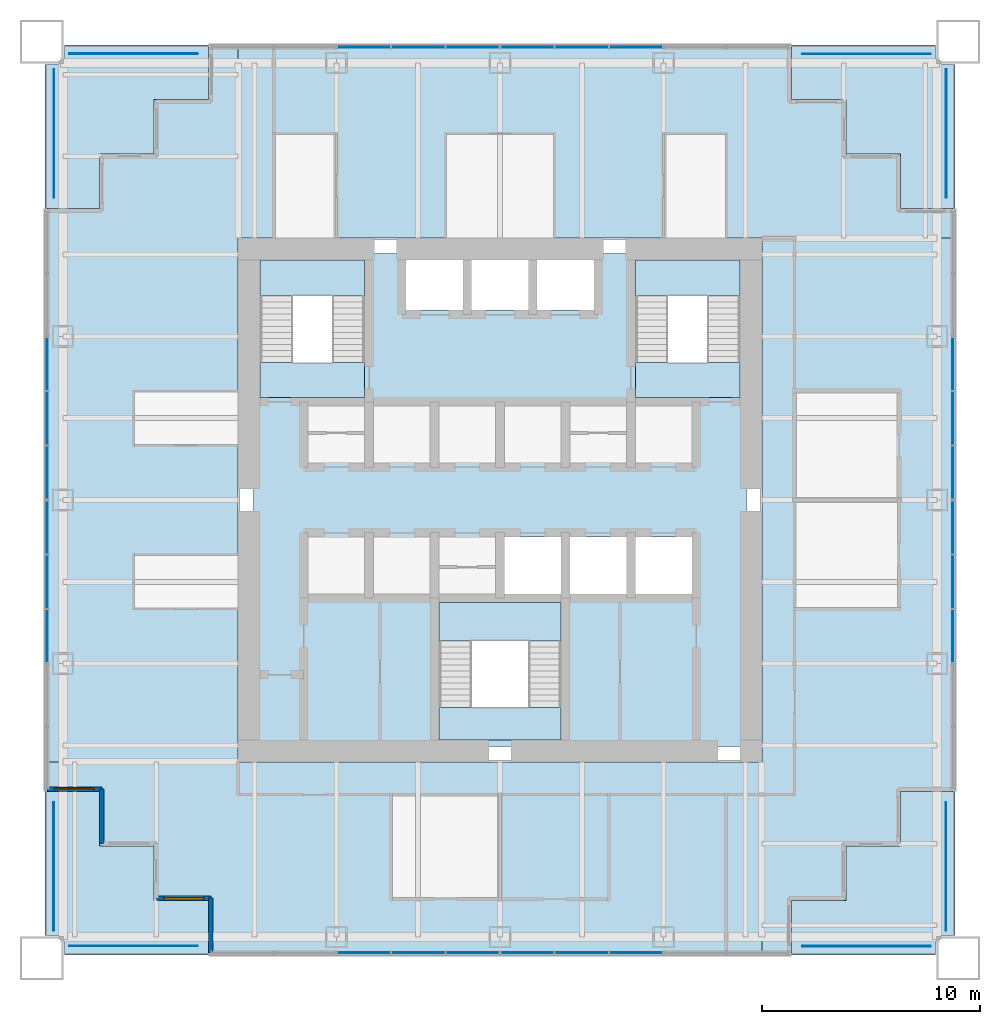
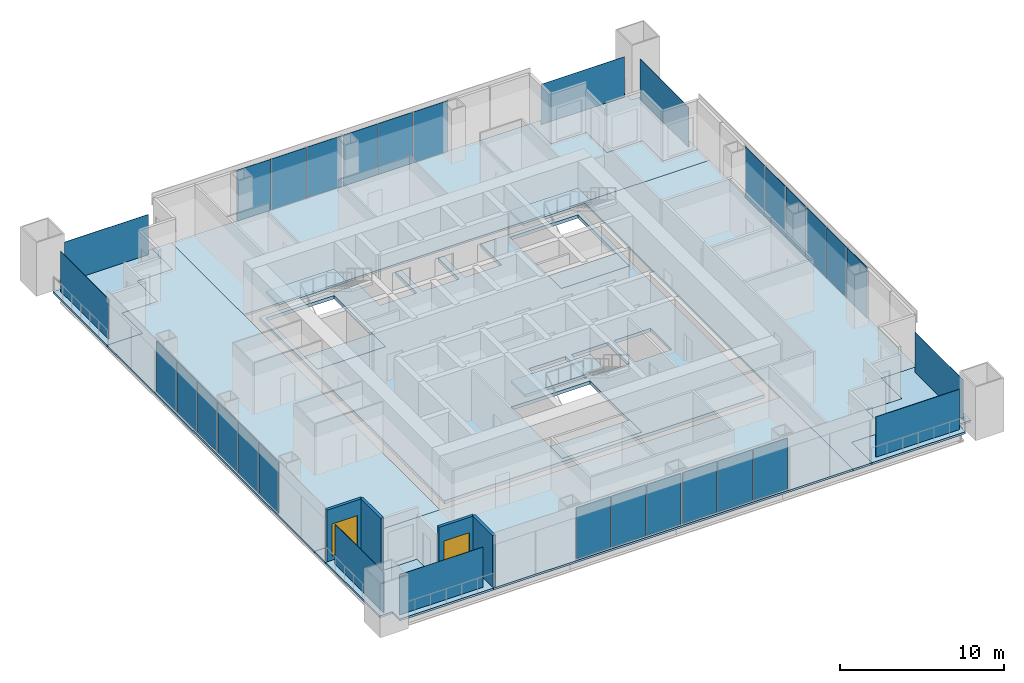
# One storey, part 8 of 14: 32 plates, 15 slabs, 4 walls, 2 windows, 2 openings, 11 elements without a shape of their own.
"""IFC4 building model written with IfcOpenShell, lengths in metres."""

from ifc_helpers import new_model, si_unit, direction, frame, frame_2d, origin, origin_2d, place, context, subcontext, project, spatial, polyline, rectangle, outline, extrude, material, layer, layer_set, type_object, element, fill, aggregate, save


model = new_model("IFC4")

# Units and contexts
model_context = context("Model", 3, precision=1e-05, world=origin(), true_north=direction((0.0, 1.0)))
body_context = subcontext(model_context, "Body", "Model", "MODEL_VIEW")
ifc_project = project(units=[si_unit("LENGTHUNIT", "METRE"), si_unit("AREAUNIT", "SQUARE_METRE"), si_unit("VOLUMEUNIT", "CUBIC_METRE"), si_unit("PLANEANGLEUNIT", "RADIAN"), si_unit("MASSUNIT", "GRAM", prefix="KILO")], contexts=[model_context])

# Site, building, storey
site_placement = place(None, origin())
site = spatial("IfcSite", under=ifc_project, at=site_placement, CompositionType="ELEMENT")
building_placement = place(site_placement, origin())
building = spatial("IfcBuilding", under=site, at=building_placement, Name="Tarangal Relay Tower", CompositionType="ELEMENT")
storey_placement = place(building_placement, frame((0.0, 0.0, 287.89990234375)))
storey = spatial("IfcBuildingStorey", under=building, at=storey_placement, Name="L63", CompositionType="ELEMENT", Elevation=287.89990234375)

# Slabs
ifc_material_1 = material(Name="Concrete fc' 35 MPa", Category="concrete")
ifc_layer_1 = layer(ifc_material_1, 0.25)
ifc_layer_set_1 = layer_set([ifc_layer_1], Name="Core floor slab 250")
slab_type_1 = type_object("IfcSlabType", Name="Core floor slab 250", PredefinedType="FLOOR", material=ifc_layer_set_1)
slab_1_placement = place(storey_placement, frame((0.0, 0.0, -0.25)))
element("IfcSlab", 1, at=slab_1_placement, inside=storey, type_object=slab_type_1, Name="Core floor slab L63", PredefinedType="FLOOR", context=body_context, shape_type="SweptSolid", body=[
    extrude(outline(polyline([(11.300048828125, 11.300048828125), (11.300048828125, -11.300048828125), (-11.300048828125, -11.300048828125), (-11.300048828125, 11.300048828125), (-4.300048828125, 11.300048828125), (-4.300048828125, 8.699951171875), (-1.699951171875, 8.699951171875), (-1.699951171875, 11.300048828125), (-1.300048828125, 11.300048828125), (-1.300048828125, 8.699951171875), (1.300048828125, 8.699951171875), (1.300048828125, 11.300048828125), (1.699951171875, 11.300048828125), (1.699951171875, 8.699951171875), (4.300048828125, 8.699951171875), (4.300048828125, 11.300048828125), (11.300048828125, 11.300048828125)]), holes=[polyline([(2.800048828125, -4.699951171875), (-2.800048828125, -4.699951171875), (-2.800048828125, -11.0), (2.800048828125, -11.0), (2.800048828125, -4.699951171875)]), polyline([(2.800048828125, -1.699951171875), (0.199951171875, -1.699951171875), (0.199951171875, -4.300048828125), (2.800048828125, -4.300048828125), (2.800048828125, -1.699951171875)]), polyline([(5.800048828125, -1.699951171875), (3.199951171875, -1.699951171875), (3.199951171875, -4.300048828125), (5.800048828125, -4.300048828125), (5.800048828125, -1.699951171875)]), polyline([(8.800048828125, -1.699951171875), (6.199951171875, -1.699951171875), (6.199951171875, -4.300048828125), (8.800048828125, -4.300048828125), (8.800048828125, -1.699951171875)]), polyline([(-6.199951171875, 11.0), (-11.0, 11.0), (-11.0, 4.699951171875), (-6.199951171875, 4.699951171875), (-6.199951171875, 11.0)]), polyline([(11.0, 11.0), (6.199951171875, 11.0), (6.199951171875, 4.699951171875), (11.0, 4.699951171875), (11.0, 11.0)])]), origin(), (0.0, 0.0, 1.0), 0.25),
])
ifc_layer_2 = layer(ifc_material_1, 0.14990234375)
ifc_layer_set_2 = layer_set([ifc_layer_2], Name="Floor slab 150")
slab_type_2 = type_object("IfcSlabType", Name="Floor slab 150", PredefinedType="FLOOR", material=ifc_layer_set_2)
slab_2_placement = place(storey_placement, frame((0.0, 0.0, -0.14990234375)))
element("IfcSlab", 2, at=slab_2_placement, inside=storey, type_object=slab_type_2, Name="Floor slab FS3 L63 north bay", PredefinedType="FLOOR", context=body_context, shape_type="SweptSolid", body=[
    extrude(outline(polyline([(13.35009765625, 20.85009765625), (13.35009765625, 18.35009765625), (15.85009765625, 18.35009765625), (15.85009765625, 15.85009765625), (18.35009765625, 15.85009765625), (18.35009765625, 13.35009765625), (20.85009765625, 13.35009765625), (20.85009765625, 12.0), (-12.0, 12.0), (-12.0, 20.85009765625), (13.35009765625, 20.85009765625)])), origin(), (0.0, 0.0, 1.0), 0.14990234375),
])
slab_3_placement = place(storey_placement, frame((0.0, 0.0, -0.14990234375)))
element("IfcSlab", 3, at=slab_3_placement, inside=storey, type_object=slab_type_2, Name="Floor slab FS3 L63 east bay", PredefinedType="FLOOR", context=body_context, shape_type="SweptSolid", body=[
    extrude(outline(polyline([(20.85009765625, -13.35009765625), (18.35009765625, -13.35009765625), (18.35009765625, -15.85009765625), (15.85009765625, -15.85009765625), (15.85009765625, -18.35009765625), (13.35009765625, -18.35009765625), (13.35009765625, -20.85009765625), (12.0, -20.85009765625), (12.0, 12.0), (20.85009765625, 12.0), (20.85009765625, -13.35009765625)])), origin(), (0.0, 0.0, 1.0), 0.14990234375),
])
slab_4_placement = place(storey_placement, frame((0.0, 0.0, -0.14990234375)))
element("IfcSlab", 4, at=slab_4_placement, inside=storey, type_object=slab_type_2, Name="Floor slab FS3 L63 south bay", PredefinedType="FLOOR", context=body_context, shape_type="SweptSolid", body=[
    extrude(outline(polyline([(-13.35009765625, -20.85009765625), (-13.35009765625, -18.35009765625), (-15.85009765625, -18.35009765625), (-15.85009765625, -15.85009765625), (-18.35009765625, -15.85009765625), (-18.35009765625, -13.35009765625), (-20.85009765625, -13.35009765625), (-20.85009765625, -12.0), (12.0, -12.0), (12.0, -20.85009765625), (-13.35009765625, -20.85009765625)])), origin(), (0.0, 0.0, 1.0), 0.14990234375),
])
slab_5_placement = place(storey_placement, frame((0.0, 0.0, -0.14990234375)))
element("IfcSlab", 5, at=slab_5_placement, inside=storey, type_object=slab_type_2, Name="Floor slab FS3 L63 west bay", PredefinedType="FLOOR", context=body_context, shape_type="SweptSolid", body=[
    extrude(outline(polyline([(-12.0, 20.85009765625), (-12.0, -12.0), (-20.85009765625, -12.0), (-20.85009765625, 13.35009765625), (-18.35009765625, 13.35009765625), (-18.35009765625, 15.85009765625), (-15.85009765625, 15.85009765625), (-15.85009765625, 18.35009765625), (-13.35009765625, 18.35009765625), (-13.35009765625, 20.85009765625), (-12.0, 20.85009765625)])), origin(), (0.0, 0.0, 1.0), 0.14990234375),
])

# Curtain wall, plates
ifc_material_2 = material(Name="Unitised curtain wall, dark glass and black aluminium", Category="aluminium")
curtain_wall_type = type_object("IfcCurtainWallType", Name="Curtain wall CW-B", PredefinedType="USERDEFINED", material=ifc_material_2)
curtain_wall_1_placement = place(storey_placement, origin())
curtain_wall_1 = element("IfcCurtainWall", 6, at=curtain_wall_1_placement, inside=storey, type_object=curtain_wall_type, Name="Curtain wall CW-B N facade L63", ObjectType="UNITISED CURTAIN WALL", PredefinedType="USERDEFINED")
ifc_material_3 = material(Name="Dark tinted insulated glass unit", Category="glass")
ifc_layer_3 = layer(ifc_material_3, 0.030029296875)
ifc_layer_set_3 = layer_set([ifc_layer_3], Name="Glazed panel CW-B 30")
plate_type_1 = type_object("IfcPlateType", Name="Glazed panel CW-B 30", PredefinedType="CURTAIN_PANEL", material=ifc_layer_set_3)
plate_1_placement = place(storey_placement, frame((-6.235107421875, 20.75, 0.06005859375), z_axis=(0.0, 0.0, 1.0), x_axis=(1.0, 0.0, 0.0)))
plate_1 = element("IfcPlate", 7, at=plate_1_placement, type_object=plate_type_1, Name="CW-B panel 1.1", PredefinedType="CURTAIN_PANEL", context=body_context, shape_type="SweptSolid", body=[
    extrude(rectangle(XDim=2.409912109375, YDim=0.030029296875, at=origin_2d()), origin(), (0.0, 0.0, 1.0), 3.7900390625),
])
plate_2_placement = place(storey_placement, frame((-3.75, 20.75, 0.06005859375), z_axis=(0.0, 0.0, 1.0), x_axis=(1.0, 0.0, 0.0)))
plate_2 = element("IfcPlate", 8, at=plate_2_placement, type_object=plate_type_1, Name="CW-B panel 2.1", PredefinedType="CURTAIN_PANEL", context=body_context, shape_type="SweptSolid", body=[
    extrude(rectangle(XDim=2.43994140625, YDim=0.030029296875, at=origin_2d()), origin(), (0.0, 0.0, 1.0), 3.7900390625),
])
plate_3_placement = place(storey_placement, frame((-1.264892578125, 20.75, 0.06005859375), z_axis=(0.0, 0.0, 1.0), x_axis=(1.0, 0.0, 0.0)))
plate_3 = element("IfcPlate", 9, at=plate_3_placement, type_object=plate_type_1, Name="CW-B panel 3.1", PredefinedType="CURTAIN_PANEL", context=body_context, shape_type="SweptSolid", body=[
    extrude(rectangle(XDim=2.409912109375, YDim=0.030029296875, at=origin_2d()), origin(), (0.0, 0.0, 1.0), 3.7900390625),
])
aggregate(curtain_wall_1, [plate_1, plate_2, plate_3])

curtain_wall_2_placement = place(storey_placement, origin())
curtain_wall_2 = element("IfcCurtainWall", 10, at=curtain_wall_2_placement, inside=storey, type_object=curtain_wall_type, Name="Curtain wall CW-B N facade L63", ObjectType="UNITISED CURTAIN WALL", PredefinedType="USERDEFINED")
plate_4_placement = place(storey_placement, frame((1.264892578125, 20.75, 0.06005859375), z_axis=(0.0, 0.0, 1.0), x_axis=(1.0, 0.0, 0.0)))
plate_4 = element("IfcPlate", 11, at=plate_4_placement, type_object=plate_type_1, Name="CW-B panel 1.1", PredefinedType="CURTAIN_PANEL", context=body_context, shape_type="SweptSolid", body=[
    extrude(rectangle(XDim=2.409912109375, YDim=0.030029296875, at=origin_2d()), origin(), (0.0, 0.0, 1.0), 3.7900390625),
])
plate_5_placement = place(storey_placement, frame((3.75, 20.75, 0.06005859375), z_axis=(0.0, 0.0, 1.0), x_axis=(1.0, 0.0, 0.0)))
plate_5 = element("IfcPlate", 12, at=plate_5_placement, type_object=plate_type_1, Name="CW-B panel 2.1", PredefinedType="CURTAIN_PANEL", context=body_context, shape_type="SweptSolid", body=[
    extrude(rectangle(XDim=2.43994140625, YDim=0.030029296875, at=origin_2d()), origin(), (0.0, 0.0, 1.0), 3.7900390625),
])
plate_6_placement = place(storey_placement, frame((6.235107421875, 20.75, 0.06005859375), z_axis=(0.0, 0.0, 1.0), x_axis=(1.0, 0.0, 0.0)))
plate_6 = element("IfcPlate", 13, at=plate_6_placement, type_object=plate_type_1, Name="CW-B panel 3.1", PredefinedType="CURTAIN_PANEL", context=body_context, shape_type="SweptSolid", body=[
    extrude(rectangle(XDim=2.409912109375, YDim=0.030029296875, at=origin_2d()), origin(), (0.0, 0.0, 1.0), 3.7900390625),
])
aggregate(curtain_wall_2, [plate_4, plate_5, plate_6])

curtain_wall_3_placement = place(storey_placement, origin())
curtain_wall_3 = element("IfcCurtainWall", 14, at=curtain_wall_3_placement, inside=storey, type_object=curtain_wall_type, Name="Curtain wall CW-B E facade L63", ObjectType="UNITISED CURTAIN WALL", PredefinedType="USERDEFINED")
plate_7_placement = place(storey_placement, frame((20.75, 6.235107421875, 0.06005859375), z_axis=(0.0, 0.0, 1.0), x_axis=(0.0, -1.0, 0.0)))
plate_7 = element("IfcPlate", 15, at=plate_7_placement, type_object=plate_type_1, Name="CW-B panel 1.1", PredefinedType="CURTAIN_PANEL", context=body_context, shape_type="SweptSolid", body=[
    extrude(rectangle(XDim=2.409912109375, YDim=0.030029296875, at=origin_2d()), origin(), (0.0, 0.0, 1.0), 3.7900390625),
])
plate_8_placement = place(storey_placement, frame((20.75, 3.75, 0.06005859375), z_axis=(0.0, 0.0, 1.0), x_axis=(0.0, -1.0, 0.0)))
plate_8 = element("IfcPlate", 16, at=plate_8_placement, type_object=plate_type_1, Name="CW-B panel 2.1", PredefinedType="CURTAIN_PANEL", context=body_context, shape_type="SweptSolid", body=[
    extrude(rectangle(XDim=2.43994140625, YDim=0.030029296875, at=origin_2d()), origin(), (0.0, 0.0, 1.0), 3.7900390625),
])
plate_9_placement = place(storey_placement, frame((20.75, 1.264892578125, 0.06005859375), z_axis=(0.0, 0.0, 1.0), x_axis=(0.0, -1.0, 0.0)))
plate_9 = element("IfcPlate", 17, at=plate_9_placement, type_object=plate_type_1, Name="CW-B panel 3.1", PredefinedType="CURTAIN_PANEL", context=body_context, shape_type="SweptSolid", body=[
    extrude(rectangle(XDim=2.409912109375, YDim=0.030029296875, at=origin_2d()), origin(), (0.0, 0.0, 1.0), 3.7900390625),
])
aggregate(curtain_wall_3, [plate_7, plate_8, plate_9])

curtain_wall_4_placement = place(storey_placement, origin())
curtain_wall_4 = element("IfcCurtainWall", 18, at=curtain_wall_4_placement, inside=storey, type_object=curtain_wall_type, Name="Curtain wall CW-B E facade L63", ObjectType="UNITISED CURTAIN WALL", PredefinedType="USERDEFINED")
plate_10_placement = place(storey_placement, frame((20.75, -1.264892578125, 0.06005859375), z_axis=(0.0, 0.0, 1.0), x_axis=(0.0, -1.0, 0.0)))
plate_10 = element("IfcPlate", 19, at=plate_10_placement, type_object=plate_type_1, Name="CW-B panel 1.1", PredefinedType="CURTAIN_PANEL", context=body_context, shape_type="SweptSolid", body=[
    extrude(rectangle(XDim=2.409912109375, YDim=0.030029296875, at=origin_2d()), origin(), (0.0, 0.0, 1.0), 3.7900390625),
])
plate_11_placement = place(storey_placement, frame((20.75, -3.75, 0.06005859375), z_axis=(0.0, 0.0, 1.0), x_axis=(0.0, -1.0, 0.0)))
plate_11 = element("IfcPlate", 20, at=plate_11_placement, type_object=plate_type_1, Name="CW-B panel 2.1", PredefinedType="CURTAIN_PANEL", context=body_context, shape_type="SweptSolid", body=[
    extrude(rectangle(XDim=2.43994140625, YDim=0.030029296875, at=origin_2d()), origin(), (0.0, 0.0, 1.0), 3.7900390625),
])
plate_12_placement = place(storey_placement, frame((20.75, -6.235107421875, 0.06005859375), z_axis=(0.0, 0.0, 1.0), x_axis=(0.0, -1.0, 0.0)))
plate_12 = element("IfcPlate", 21, at=plate_12_placement, type_object=plate_type_1, Name="CW-B panel 3.1", PredefinedType="CURTAIN_PANEL", context=body_context, shape_type="SweptSolid", body=[
    extrude(rectangle(XDim=2.409912109375, YDim=0.030029296875, at=origin_2d()), origin(), (0.0, 0.0, 1.0), 3.7900390625),
])
aggregate(curtain_wall_4, [plate_10, plate_11, plate_12])

curtain_wall_5_placement = place(storey_placement, origin())
curtain_wall_5 = element("IfcCurtainWall", 22, at=curtain_wall_5_placement, inside=storey, type_object=curtain_wall_type, Name="Curtain wall CW-B S facade L63", ObjectType="UNITISED CURTAIN WALL", PredefinedType="USERDEFINED")
plate_13_placement = place(storey_placement, frame((6.235107421875, -20.75, 0.06005859375), z_axis=(0.0, 0.0, 1.0), x_axis=(-1.0, 0.0, 0.0)))
plate_13 = element("IfcPlate", 23, at=plate_13_placement, type_object=plate_type_1, Name="CW-B panel 1.1", PredefinedType="CURTAIN_PANEL", context=body_context, shape_type="SweptSolid", body=[
    extrude(rectangle(XDim=2.409912109375, YDim=0.030029296875, at=origin_2d()), origin(), (0.0, 0.0, 1.0), 3.7900390625),
])
plate_14_placement = place(storey_placement, frame((3.75, -20.75, 0.06005859375), z_axis=(0.0, 0.0, 1.0), x_axis=(-1.0, 0.0, 0.0)))
plate_14 = element("IfcPlate", 24, at=plate_14_placement, type_object=plate_type_1, Name="CW-B panel 2.1", PredefinedType="CURTAIN_PANEL", context=body_context, shape_type="SweptSolid", body=[
    extrude(rectangle(XDim=2.43994140625, YDim=0.030029296875, at=origin_2d()), origin(), (0.0, 0.0, 1.0), 3.7900390625),
])
plate_15_placement = place(storey_placement, frame((1.264892578125, -20.75, 0.06005859375), z_axis=(0.0, 0.0, 1.0), x_axis=(-1.0, 0.0, 0.0)))
plate_15 = element("IfcPlate", 25, at=plate_15_placement, type_object=plate_type_1, Name="CW-B panel 3.1", PredefinedType="CURTAIN_PANEL", context=body_context, shape_type="SweptSolid", body=[
    extrude(rectangle(XDim=2.409912109375, YDim=0.030029296875, at=origin_2d()), origin(), (0.0, 0.0, 1.0), 3.7900390625),
])
aggregate(curtain_wall_5, [plate_13, plate_14, plate_15])

curtain_wall_6_placement = place(storey_placement, origin())
curtain_wall_6 = element("IfcCurtainWall", 26, at=curtain_wall_6_placement, inside=storey, type_object=curtain_wall_type, Name="Curtain wall CW-B S facade L63", ObjectType="UNITISED CURTAIN WALL", PredefinedType="USERDEFINED")
plate_16_placement = place(storey_placement, frame((-1.264892578125, -20.75, 0.06005859375), z_axis=(0.0, 0.0, 1.0), x_axis=(-1.0, 0.0, 0.0)))
plate_16 = element("IfcPlate", 27, at=plate_16_placement, type_object=plate_type_1, Name="CW-B panel 1.1", PredefinedType="CURTAIN_PANEL", context=body_context, shape_type="SweptSolid", body=[
    extrude(rectangle(XDim=2.409912109375, YDim=0.030029296875, at=origin_2d()), origin(), (0.0, 0.0, 1.0), 3.7900390625),
])
plate_17_placement = place(storey_placement, frame((-3.75, -20.75, 0.06005859375), z_axis=(0.0, 0.0, 1.0), x_axis=(-1.0, 0.0, 0.0)))
plate_17 = element("IfcPlate", 28, at=plate_17_placement, type_object=plate_type_1, Name="CW-B panel 2.1", PredefinedType="CURTAIN_PANEL", context=body_context, shape_type="SweptSolid", body=[
    extrude(rectangle(XDim=2.43994140625, YDim=0.030029296875, at=origin_2d()), origin(), (0.0, 0.0, 1.0), 3.7900390625),
])
plate_18_placement = place(storey_placement, frame((-6.235107421875, -20.75, 0.06005859375), z_axis=(0.0, 0.0, 1.0), x_axis=(-1.0, 0.0, 0.0)))
plate_18 = element("IfcPlate", 29, at=plate_18_placement, type_object=plate_type_1, Name="CW-B panel 3.1", PredefinedType="CURTAIN_PANEL", context=body_context, shape_type="SweptSolid", body=[
    extrude(rectangle(XDim=2.409912109375, YDim=0.030029296875, at=origin_2d()), origin(), (0.0, 0.0, 1.0), 3.7900390625),
])
aggregate(curtain_wall_6, [plate_16, plate_17, plate_18])

curtain_wall_7_placement = place(storey_placement, origin())
curtain_wall_7 = element("IfcCurtainWall", 30, at=curtain_wall_7_placement, inside=storey, type_object=curtain_wall_type, Name="Curtain wall CW-B W facade L63", ObjectType="UNITISED CURTAIN WALL", PredefinedType="USERDEFINED")
plate_19_placement = place(storey_placement, frame((-20.75, -6.235107421875, 0.06005859375), z_axis=(0.0, 0.0, 1.0), x_axis=(0.0, 1.0, 0.0)))
plate_19 = element("IfcPlate", 31, at=plate_19_placement, type_object=plate_type_1, Name="CW-B panel 1.1", PredefinedType="CURTAIN_PANEL", context=body_context, shape_type="SweptSolid", body=[
    extrude(rectangle(XDim=2.409912109375, YDim=0.030029296875, at=origin_2d()), origin(), (0.0, 0.0, 1.0), 3.7900390625),
])
plate_20_placement = place(storey_placement, frame((-20.75, -3.75, 0.06005859375), z_axis=(0.0, 0.0, 1.0), x_axis=(0.0, 1.0, 0.0)))
plate_20 = element("IfcPlate", 32, at=plate_20_placement, type_object=plate_type_1, Name="CW-B panel 2.1", PredefinedType="CURTAIN_PANEL", context=body_context, shape_type="SweptSolid", body=[
    extrude(rectangle(XDim=2.43994140625, YDim=0.030029296875, at=origin_2d()), origin(), (0.0, 0.0, 1.0), 3.7900390625),
])
plate_21_placement = place(storey_placement, frame((-20.75, -1.264892578125, 0.06005859375), z_axis=(0.0, 0.0, 1.0), x_axis=(0.0, 1.0, 0.0)))
plate_21 = element("IfcPlate", 33, at=plate_21_placement, type_object=plate_type_1, Name="CW-B panel 3.1", PredefinedType="CURTAIN_PANEL", context=body_context, shape_type="SweptSolid", body=[
    extrude(rectangle(XDim=2.409912109375, YDim=0.030029296875, at=origin_2d()), origin(), (0.0, 0.0, 1.0), 3.7900390625),
])
aggregate(curtain_wall_7, [plate_19, plate_20, plate_21])

curtain_wall_8_placement = place(storey_placement, origin())
curtain_wall_8 = element("IfcCurtainWall", 34, at=curtain_wall_8_placement, inside=storey, type_object=curtain_wall_type, Name="Curtain wall CW-B W facade L63", ObjectType="UNITISED CURTAIN WALL", PredefinedType="USERDEFINED")
plate_22_placement = place(storey_placement, frame((-20.75, 1.264892578125, 0.06005859375), z_axis=(0.0, 0.0, 1.0), x_axis=(0.0, 1.0, 0.0)))
plate_22 = element("IfcPlate", 35, at=plate_22_placement, type_object=plate_type_1, Name="CW-B panel 1.1", PredefinedType="CURTAIN_PANEL", context=body_context, shape_type="SweptSolid", body=[
    extrude(rectangle(XDim=2.409912109375, YDim=0.030029296875, at=origin_2d()), origin(), (0.0, 0.0, 1.0), 3.7900390625),
])
plate_23_placement = place(storey_placement, frame((-20.75, 3.75, 0.06005859375), z_axis=(0.0, 0.0, 1.0), x_axis=(0.0, 1.0, 0.0)))
plate_23 = element("IfcPlate", 36, at=plate_23_placement, type_object=plate_type_1, Name="CW-B panel 2.1", PredefinedType="CURTAIN_PANEL", context=body_context, shape_type="SweptSolid", body=[
    extrude(rectangle(XDim=2.43994140625, YDim=0.030029296875, at=origin_2d()), origin(), (0.0, 0.0, 1.0), 3.7900390625),
])
plate_24_placement = place(storey_placement, frame((-20.75, 6.235107421875, 0.06005859375), z_axis=(0.0, 0.0, 1.0), x_axis=(0.0, 1.0, 0.0)))
plate_24 = element("IfcPlate", 37, at=plate_24_placement, type_object=plate_type_1, Name="CW-B panel 3.1", PredefinedType="CURTAIN_PANEL", context=body_context, shape_type="SweptSolid", body=[
    extrude(rectangle(XDim=2.409912109375, YDim=0.030029296875, at=origin_2d()), origin(), (0.0, 0.0, 1.0), 3.7900390625),
])
aggregate(curtain_wall_8, [plate_22, plate_23, plate_24])

# Plates
ifc_material_4 = material(Name="Black stainless steel cable trellis with climbing planting", Category="steel")
ifc_layer_4 = layer(ifc_material_4, 0.030029296875)
ifc_layer_set_4 = layer_set([ifc_layer_4], Name="Planted trellis screen")
plate_type_2 = type_object("IfcPlateType", Name="Planted trellis screen", PredefinedType="SHEET", material=ifc_layer_set_4)
for number, where, z_axis, x_axis, name in (
    (38, (20.449951171875, 16.800048828125, 0.0), (0.0, 0.0, 1.0), (0.0, -1.0, 0.0), "Planted trellis SC2 NE L63"),
    (39, (16.800048828125, -20.449951171875, 0.0), (0.0, 0.0, 1.0), (-1.0, 0.0, 0.0), "Planted trellis SC2 SE L63"),
    (40, (-20.449951171875, -16.800048828125, 0.0), (0.0, 0.0, 1.0), (0.0, 1.0, 0.0), "Planted trellis SC2 SW L63"),
    (41, (-16.800048828125, 20.449951171875, 0.0), (0.0, 0.0, 1.0), (1.0, 0.0, 0.0), "Planted trellis SC2 NW L63"),
):
    element("IfcPlate", number, at=place(storey_placement, frame(where, z_axis=z_axis, x_axis=x_axis)), inside=storey, type_object=plate_type_2, Name=name, PredefinedType="SHEET", context=body_context, shape_type="SweptSolid", body=[
        extrude(rectangle(XDim=5.89990234375, YDim=0.030029296875, at=origin_2d()), origin(), (0.0, 0.0, 1.0), 3.0),
    ])

# Stair, slabs
ifc_material_5 = material(Name="Steel ASTM A992 stair flight", Category="steel")
stair_type = type_object("IfcStairType", Name="Core stair 1500", PredefinedType="HALF_TURN_STAIR", material=ifc_material_5)
stair_1_placement = place(storey_placement, origin())
stair_1 = element("IfcStair", 42, at=stair_1_placement, inside=storey, type_object=stair_type, Name="Stair ST-A L63", PredefinedType="HALF_TURN_STAIR")
ifc_layer_5 = layer(ifc_material_1, 0.199951171875)
ifc_layer_set_5 = layer_set([ifc_layer_5], Name="Stair landing 200")
slab_type_3 = type_object("IfcSlabType", Name="Stair landing 200", PredefinedType="LANDING", material=ifc_layer_set_5)
slab_6_placement = place(storey_placement, frame((0.0, 0.0, -0.199951171875)))
slab_6 = element("IfcSlab", 43, at=slab_6_placement, type_object=slab_type_3, Name="ST-A landing 1", PredefinedType="LANDING", context=body_context, shape_type="SweptSolid", body=[
    extrude(outline(polyline([(-11.0, 4.699951171875), (-6.199951171875, 4.699951171875), (-6.199951171875, 6.300048828125), (-11.0, 6.300048828125), (-11.0, 4.699951171875)])), origin(), (0.0, 0.0, 1.0), 0.199951171875),
])
slab_7_placement = place(storey_placement, frame((0.0, 0.0, 1.800048828125)))
slab_7 = element("IfcSlab", 44, at=slab_7_placement, type_object=slab_type_3, Name="ST-A landing 2", PredefinedType="LANDING", context=body_context, shape_type="SweptSolid", body=[
    extrude(outline(polyline([(-11.0, 9.346923828125), (-6.199951171875, 9.346923828125), (-6.199951171875, 11.0), (-11.0, 11.0), (-11.0, 9.346923828125)])), origin(), (0.0, 0.0, 1.0), 0.199951171875),
])
aggregate(stair_1, [slab_6, slab_7])

stair_2_placement = place(storey_placement, origin())
stair_2 = element("IfcStair", 45, at=stair_2_placement, inside=storey, type_object=stair_type, Name="Stair ST-B L63", PredefinedType="HALF_TURN_STAIR")
slab_8_placement = place(storey_placement, frame((0.0, 0.0, -0.199951171875)))
slab_8 = element("IfcSlab", 46, at=slab_8_placement, type_object=slab_type_3, Name="ST-B landing 1", PredefinedType="LANDING", context=body_context, shape_type="SweptSolid", body=[
    extrude(outline(polyline([(6.199951171875, 4.699951171875), (11.0, 4.699951171875), (11.0, 6.300048828125), (6.199951171875, 6.300048828125), (6.199951171875, 4.699951171875)])), origin(), (0.0, 0.0, 1.0), 0.199951171875),
])
slab_9_placement = place(storey_placement, frame((0.0, 0.0, 1.800048828125)))
slab_9 = element("IfcSlab", 47, at=slab_9_placement, type_object=slab_type_3, Name="ST-B landing 2", PredefinedType="LANDING", context=body_context, shape_type="SweptSolid", body=[
    extrude(outline(polyline([(6.199951171875, 9.346923828125), (11.0, 9.346923828125), (11.0, 11.0), (6.199951171875, 11.0), (6.199951171875, 9.346923828125)])), origin(), (0.0, 0.0, 1.0), 0.199951171875),
])
aggregate(stair_2, [slab_8, slab_9])

stair_3_placement = place(storey_placement, origin())
stair_3 = element("IfcStair", 48, at=stair_3_placement, inside=storey, type_object=stair_type, Name="Stair ST-C L63", PredefinedType="HALF_TURN_STAIR")
slab_10_placement = place(storey_placement, frame((0.0, 0.0, -0.199951171875)))
slab_10 = element("IfcSlab", 49, at=slab_10_placement, type_object=slab_type_3, Name="ST-C landing 1", PredefinedType="LANDING", context=body_context, shape_type="SweptSolid", body=[
    extrude(outline(polyline([(-2.800048828125, -11.0), (2.800048828125, -11.0), (2.800048828125, -9.5), (-2.800048828125, -9.5), (-2.800048828125, -11.0)])), origin(), (0.0, 0.0, 1.0), 0.199951171875),
])
slab_11_placement = place(storey_placement, frame((0.0, 0.0, 1.800048828125)))
slab_11 = element("IfcSlab", 50, at=slab_11_placement, type_object=slab_type_3, Name="ST-C landing 2", PredefinedType="LANDING", context=body_context, shape_type="SweptSolid", body=[
    extrude(outline(polyline([(-2.800048828125, -6.452880859375), (2.800048828125, -6.452880859375), (2.800048828125, -4.699951171875), (-2.800048828125, -4.699951171875), (-2.800048828125, -6.452880859375)])), origin(), (0.0, 0.0, 1.0), 0.199951171875),
])
aggregate(stair_3, [slab_10, slab_11])

# Plates
ifc_material_6 = material(Name="Perforated black aluminium screen", Category="aluminium")
ifc_layer_6 = layer(ifc_material_6, 0.02001953125)
ifc_layer_set_6 = layer_set([ifc_layer_6], Name="Terrace screen panel")
plate_type_3 = type_object("IfcPlateType", Name="Terrace screen panel", PredefinedType="SHEET", material=ifc_layer_set_6)
for number, where, z_axis, x_axis, name in (
    (51, (16.800048828125, 20.449951171875, 0.0), (0.0, 0.0, 1.0), (1.0, 0.0, 0.0), "Terrace screen SC1 NE L63"),
    (52, (20.449951171875, -16.800048828125, 0.0), (0.0, 0.0, 1.0), (0.0, -1.0, 0.0), "Terrace screen SC1 SE L63"),
    (53, (-16.800048828125, -20.449951171875, 0.0), (0.0, 0.0, 1.0), (-1.0, 0.0, 0.0), "Terrace screen SC1 SW L63"),
    (54, (-20.449951171875, 16.800048828125, 0.0), (0.0, 0.0, 1.0), (0.0, 1.0, 0.0), "Terrace screen SC1 NW L63"),
):
    element("IfcPlate", number, at=place(storey_placement, frame(where, z_axis=z_axis, x_axis=x_axis)), inside=storey, type_object=plate_type_3, Name=name, PredefinedType="SHEET", context=body_context, shape_type="SweptSolid", body=[
        extrude(rectangle(XDim=5.89990234375, YDim=0.02001953125, at=origin_2d()), origin(), (0.0, 0.0, 1.0), 3.0),
    ])

# Slabs
ifc_layer_7 = layer(ifc_material_1, 0.14990234375)
ifc_layer_set_7 = layer_set([ifc_layer_7], Name="Terrace slab 150")
slab_type_4 = type_object("IfcSlabType", Name="Terrace slab 150", PredefinedType="FLOOR", material=ifc_layer_set_7)
slab_12_placement = place(storey_placement, frame((0.0, 0.0, -0.14990234375)))
element("IfcSlab", 55, at=slab_12_placement, inside=storey, type_object=slab_type_4, Name="Corner terrace NE L63", PredefinedType="FLOOR", context=body_context, shape_type="SweptSolid", body=[
    extrude(outline(polyline([(13.35009765625, 20.85009765625), (13.35009765625, 18.35009765625), (15.85009765625, 18.35009765625), (15.85009765625, 15.85009765625), (18.35009765625, 15.85009765625), (18.35009765625, 13.35009765625), (20.85009765625, 13.35009765625), (20.85009765625, 19.949951171875), (19.949951171875, 19.949951171875), (19.949951171875, 20.85009765625), (13.35009765625, 20.85009765625)])), origin(), (0.0, 0.0, 1.0), 0.14990234375),
])
slab_13_placement = place(storey_placement, frame((0.0, 0.0, -0.14990234375)))
element("IfcSlab", 56, at=slab_13_placement, inside=storey, type_object=slab_type_4, Name="Corner terrace SE L63", PredefinedType="FLOOR", context=body_context, shape_type="SweptSolid", body=[
    extrude(outline(polyline([(20.85009765625, -13.35009765625), (18.35009765625, -13.35009765625), (18.35009765625, -15.85009765625), (15.85009765625, -15.85009765625), (15.85009765625, -18.35009765625), (13.35009765625, -18.35009765625), (13.35009765625, -20.85009765625), (19.949951171875, -20.85009765625), (19.949951171875, -19.949951171875), (20.85009765625, -19.949951171875), (20.85009765625, -13.35009765625)])), origin(), (0.0, 0.0, 1.0), 0.14990234375),
])
slab_14_placement = place(storey_placement, frame((0.0, 0.0, -0.14990234375)))
element("IfcSlab", 57, at=slab_14_placement, inside=storey, type_object=slab_type_4, Name="Corner terrace SW L63", PredefinedType="FLOOR", context=body_context, shape_type="SweptSolid", body=[
    extrude(outline(polyline([(-13.35009765625, -20.85009765625), (-13.35009765625, -18.35009765625), (-15.85009765625, -18.35009765625), (-15.85009765625, -15.85009765625), (-18.35009765625, -15.85009765625), (-18.35009765625, -13.35009765625), (-20.85009765625, -13.35009765625), (-20.85009765625, -19.949951171875), (-19.949951171875, -19.949951171875), (-19.949951171875, -20.85009765625), (-13.35009765625, -20.85009765625)])), origin(), (0.0, 0.0, 1.0), 0.14990234375),
])
slab_15_placement = place(storey_placement, frame((0.0, 0.0, -0.14990234375)))
element("IfcSlab", 58, at=slab_15_placement, inside=storey, type_object=slab_type_4, Name="Corner terrace NW L63", PredefinedType="FLOOR", context=body_context, shape_type="SweptSolid", body=[
    extrude(outline(polyline([(-20.85009765625, 13.35009765625), (-18.35009765625, 13.35009765625), (-18.35009765625, 15.85009765625), (-15.85009765625, 15.85009765625), (-15.85009765625, 18.35009765625), (-13.35009765625, 18.35009765625), (-13.35009765625, 20.85009765625), (-19.949951171875, 20.85009765625), (-19.949951171875, 19.949951171875), (-20.85009765625, 19.949951171875), (-20.85009765625, 13.35009765625)])), origin(), (0.0, 0.0, 1.0), 0.14990234375),
])

# Wall
ifc_material_7 = material(Name="Black metal clad insulated wall", Category="steel")
ifc_layer_8 = layer(ifc_material_7, 0.199951171875)
ifc_layer_set_8 = layer_set([ifc_layer_8], Name="Corner wall metal clad 200")
wall_type = type_object("IfcWallType", Name="Corner wall metal clad 200", PredefinedType="SOLIDWALL", material=ifc_layer_set_8)
wall_1_placement = place(storey_placement, frame((-13.25, -20.75, 0.0), z_axis=(0.0, 0.0, 1.0), x_axis=(0.0, 1.0, 0.0)))
element("IfcWall", 59, at=wall_1_placement, inside=storey, type_object=wall_type, Name="Facade wall S facade L63", PredefinedType="SOLIDWALL", context=body_context, shape_type="SweptSolid", body=[
    extrude(rectangle(XDim=2.5, YDim=0.199951171875, at=frame_2d((1.25, 0.0))), origin(), (0.0, 0.0, 1.0), 3.85009765625),
])

# Wall, opening, window
wall_2_placement = place(storey_placement, frame((-13.25, -18.25, 0.0), z_axis=(0.0, 0.0, 1.0), x_axis=(-1.0, 0.0, 0.0)))
wall_2 = element("IfcWall", 60, at=wall_2_placement, inside=storey, type_object=wall_type, Name="Facade wall S facade L63", PredefinedType="SOLIDWALL", context=body_context, shape_type="SweptSolid", body=[
    extrude(rectangle(XDim=2.5, YDim=0.199951171875, at=frame_2d((1.25, 0.0))), origin(), (0.0, 0.0, 1.0), 3.85009765625),
])
opening_1_placement = place(wall_2_placement, frame((0.35009765625, 0.0, 0.300048828125)))
opening_1 = element("IfcOpeningElement", 61, at=opening_1_placement, cuts=wall_2, Name="Opening WN2", PredefinedType="OPENING", context=body_context, shape_type="SweptSolid", body=[
    extrude(rectangle(XDim=1.800048828125, YDim=2.39990234375, at=frame_2d((0.89990234375, 1.199951171875))), frame((0.0, 0.10986328125, 0.0), z_axis=(0.0, -1.0, 0.0), x_axis=(1.0, 0.0, 0.0)), (0.0, 0.0, 1.0), 0.219970703125),
])
ifc_material_8 = material(Name="Dark tinted double glazing in black aluminium frame", Category="aluminium")
window_type = type_object("IfcWindowType", Name="Corner window 1800 x 2400", PartitioningType="SINGLE_PANEL", PredefinedType="WINDOW", material=ifc_material_8)
window_1_placement = place(opening_1_placement, origin())
window_1 = element("IfcWindow", 62, at=window_1_placement, inside=storey, type_object=window_type, Name="Corner window WN2 S facade L63", OverallHeight=2.39990234375, OverallWidth=1.800048828125, PartitioningType="SINGLE_PANEL", PredefinedType="WINDOW", context=body_context, shape_type="SweptSolid", body=[
    extrude(rectangle(XDim=1.800048828125, YDim=2.39990234375, at=frame_2d((0.89990234375, 1.199951171875))), frame((0.0, 0.030029296875, 0.0), z_axis=(0.0, -1.0, 0.0), x_axis=(1.0, 0.0, 0.0)), (0.0, 0.0, 1.0), 0.06005859375),
])
fill(opening_1, window_1)

# Wall
wall_3_placement = place(storey_placement, frame((-18.25, -15.75, 0.0), z_axis=(0.0, 0.0, 1.0), x_axis=(0.0, 1.0, 0.0)))
element("IfcWall", 63, at=wall_3_placement, inside=storey, type_object=wall_type, Name="Facade wall S facade L63", PredefinedType="SOLIDWALL", context=body_context, shape_type="SweptSolid", body=[
    extrude(rectangle(XDim=2.5, YDim=0.199951171875, at=frame_2d((1.25, 0.0))), origin(), (0.0, 0.0, 1.0), 3.85009765625),
])

# Wall, opening, window
wall_4_placement = place(storey_placement, frame((-18.25, -13.25, 0.0), z_axis=(0.0, 0.0, 1.0), x_axis=(-1.0, 0.0, 0.0)))
wall_4 = element("IfcWall", 64, at=wall_4_placement, inside=storey, type_object=wall_type, Name="Facade wall S facade L63", PredefinedType="SOLIDWALL", context=body_context, shape_type="SweptSolid", body=[
    extrude(rectangle(XDim=2.5, YDim=0.199951171875, at=frame_2d((1.25, 0.0))), origin(), (0.0, 0.0, 1.0), 3.85009765625),
])
opening_2_placement = place(wall_4_placement, frame((0.35009765625, 0.0, 0.300048828125)))
opening_2 = element("IfcOpeningElement", 65, at=opening_2_placement, cuts=wall_4, Name="Opening WN2", PredefinedType="OPENING", context=body_context, shape_type="SweptSolid", body=[
    extrude(rectangle(XDim=1.800048828125, YDim=2.39990234375, at=frame_2d((0.89990234375, 1.199951171875))), frame((0.0, 0.10986328125, 0.0), z_axis=(0.0, -1.0, 0.0), x_axis=(1.0, 0.0, 0.0)), (0.0, 0.0, 1.0), 0.219970703125),
])
window_2_placement = place(opening_2_placement, origin())
window_2 = element("IfcWindow", 66, at=window_2_placement, inside=storey, type_object=window_type, Name="Corner window WN2 S facade L63", OverallHeight=2.39990234375, OverallWidth=1.800048828125, PartitioningType="SINGLE_PANEL", PredefinedType="WINDOW", context=body_context, shape_type="SweptSolid", body=[
    extrude(rectangle(XDim=1.800048828125, YDim=2.39990234375, at=frame_2d((0.89990234375, 1.199951171875))), frame((0.0, 0.030029296875, 0.0), z_axis=(0.0, -1.0, 0.0), x_axis=(1.0, 0.0, 0.0)), (0.0, 0.0, 1.0), 0.06005859375),
])
fill(opening_2, window_2)

save(model, "model.ifc")
